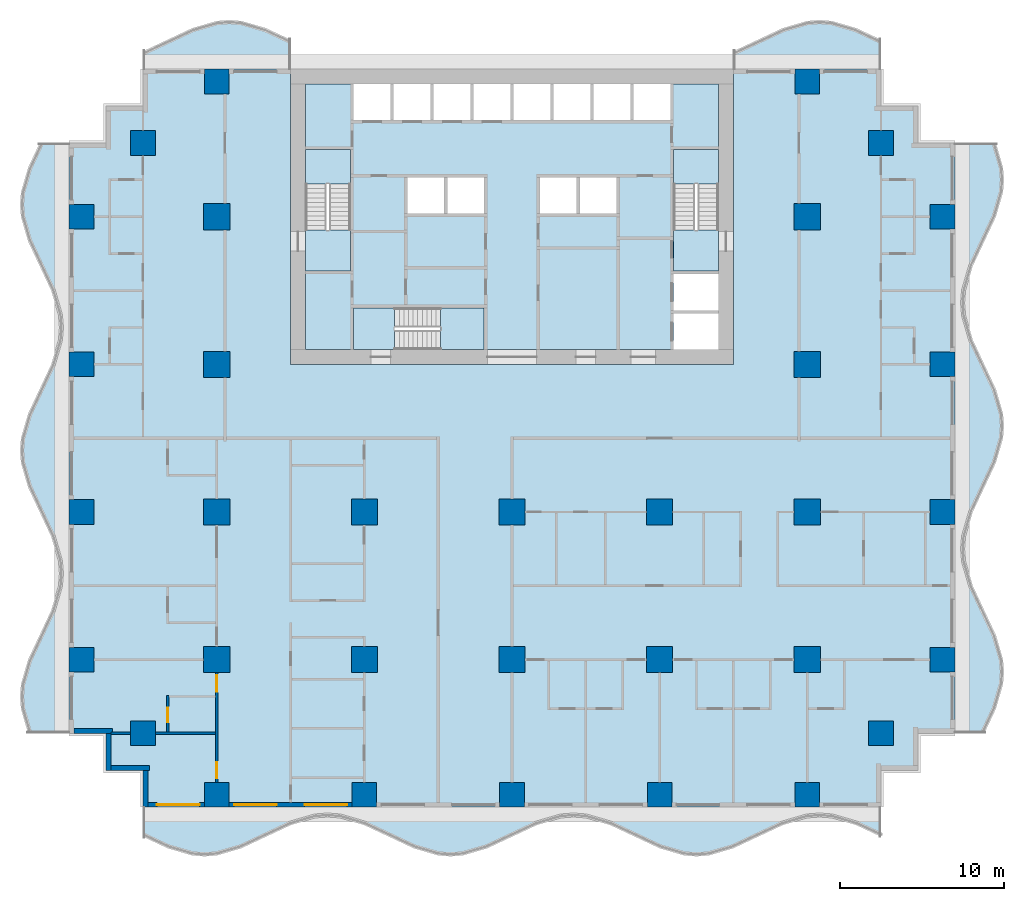
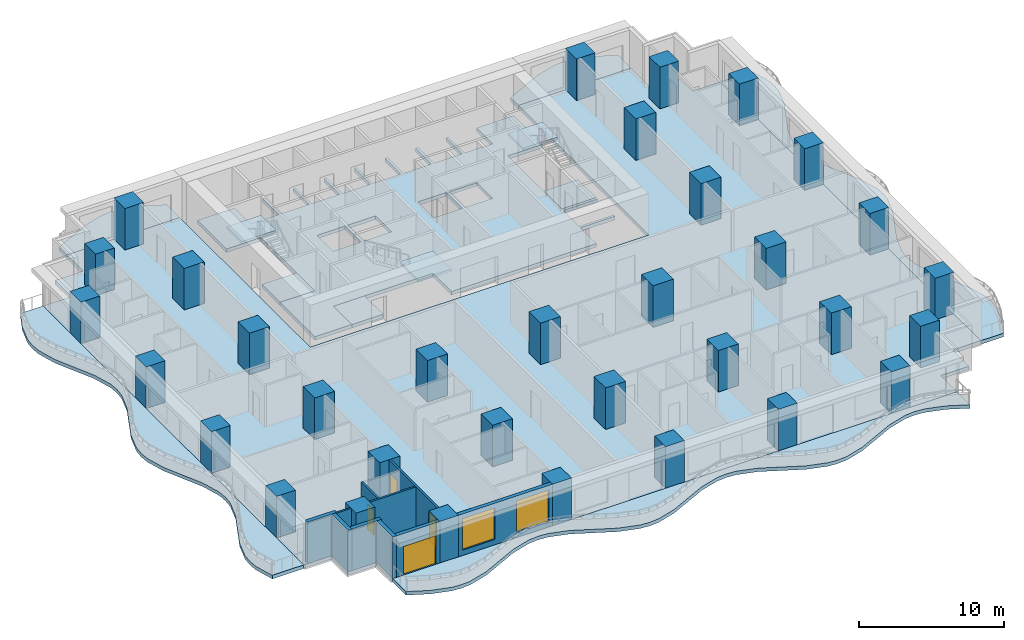
# One storey, part 1 of 14: 33 columns, 13 slabs, 10 walls, 4 doors, 2 windows, 6 openings, 3 elements without a shape of their own.
"""IFC4 building model written with IfcOpenShell, lengths in metres."""

from ifc_helpers import new_model, si_unit, direction, frame, frame_2d, origin, origin_2d, place, context, subcontext, project, spatial, polyline, rectangle, outline, extrude, material, layer, layer_set, material_profile, profile_set, type_object, element, fill, aggregate, save


model = new_model("IFC4")

# Units and contexts
model_context = context("Model", 3, precision=1e-05, world=origin(), true_north=direction((0.0, 1.0)))
body_context = subcontext(model_context, "Body", "Model", "MODEL_VIEW")
ifc_project = project(units=[si_unit("LENGTHUNIT", "METRE"), si_unit("AREAUNIT", "SQUARE_METRE"), si_unit("VOLUMEUNIT", "CUBIC_METRE"), si_unit("PLANEANGLEUNIT", "RADIAN"), si_unit("MASSUNIT", "GRAM", prefix="KILO")], contexts=[model_context])

# Site, building, storey
site_placement = place(None, origin())
site = spatial("IfcSite", under=ifc_project, at=site_placement, CompositionType="ELEMENT")
building_placement = place(site_placement, origin())
building = spatial("IfcBuilding", under=site, at=building_placement, Name="Orbiselva Terraces", CompositionType="ELEMENT")
storey_placement = place(building_placement, frame((0.0, 0.0, 15.0)))
storey = spatial("IfcBuildingStorey", under=building, at=storey_placement, Name="L03", CompositionType="ELEMENT", Elevation=15.0)

# Columns
ifc_material_1 = material(Name="Concrete C80/95", Category="concrete")
ifc_material_profile_1 = material_profile(ifc_material_1, rectangle(XDim=1.6, YDim=1.6, at=origin_2d()), Name="RC 1600x1600")
ifc_profile_set_1 = profile_set([ifc_material_profile_1], Name="Concrete C80/95")
column_type_1 = type_object("IfcColumnType", Name="COLUMN RC 1600x1600", PredefinedType="COLUMN", material=ifc_profile_set_1)
for number, where, z_axis, x_axis, name in (
    (1, (-18.0, -13.5, 0.0), (0.0, 0.0, 1.0), (1.0, 0.0, 0.0), "Column L03-01"),
    (2, (-18.0, -4.5, 0.0), (0.0, 0.0, 1.0), (1.0, 0.0, 0.0), "Column L03-03"),
    (3, (-18.0, 13.5, 0.0), (0.0, 0.0, 1.0), (1.0, 0.0, 0.0), "Column L03-04"),
    (4, (-18.0, 4.5, 0.0), (0.0, 0.0, 1.0), (1.0, 0.0, 0.0), "Column L03-06"),
    (5, (-9.0, -13.5, 0.0), (0.0, 0.0, 1.0), (1.0, 0.0, 0.0), "Column L03-13"),
    (6, (-9.0, -4.5, 0.0), (0.0, 0.0, 1.0), (1.0, 0.0, 0.0), "Column L03-15"),
    (7, (0.0, -13.5, 0.0), (0.0, 0.0, 1.0), (1.0, 0.0, 0.0), "Column L03-16"),
    (8, (0.0, -4.5, 0.0), (0.0, 0.0, 1.0), (1.0, 0.0, 0.0), "Column L03-18"),
    (9, (18.0, -13.5, 0.0), (0.0, 0.0, 1.0), (1.0, 0.0, 0.0), "Column L03-19"),
    (10, (18.0, -4.5, 0.0), (0.0, 0.0, 1.0), (1.0, 0.0, 0.0), "Column L03-21"),
    (11, (18.0, 13.5, 0.0), (0.0, 0.0, 1.0), (1.0, 0.0, 0.0), "Column L03-22"),
    (12, (18.0, 4.5, 0.0), (0.0, 0.0, 1.0), (1.0, 0.0, 0.0), "Column L03-24"),
    (13, (9.0, -13.5, 0.0), (0.0, 0.0, 1.0), (1.0, 0.0, 0.0), "Column L03-31"),
    (14, (9.0, -4.5, 0.0), (0.0, 0.0, 1.0), (1.0, 0.0, 0.0), "Column L03-33"),
):
    element("IfcColumn", number, at=place(storey_placement, frame(where, z_axis=z_axis, x_axis=x_axis)), inside=storey, type_object=column_type_1, Name=name, PredefinedType="COLUMN", context=body_context, shape_type="SweptSolid", body=[
        extrude(rectangle(XDim=1.6, YDim=1.6, at=origin_2d()), origin(), (0.0, 0.0, 1.0), 3.5),
    ])
ifc_material_profile_2 = material_profile(ifc_material_1, rectangle(XDim=1.5, YDim=1.5, at=origin_2d()), Name="RC 1500x1500")
ifc_profile_set_2 = profile_set([ifc_material_profile_2], Name="Concrete C80/95")
column_type_2 = type_object("IfcColumnType", Name="PERIMETER COLUMN RC 1500x1500", PredefinedType="COLUMN", material=ifc_profile_set_2)
for number, where, z_axis, x_axis, name in (
    (15, (-18.0, -21.75, 0.0), (0.0, 0.0, 1.0), (1.0, 0.0, 0.0), "Column L03-02"),
    (16, (-18.0, 21.75, 0.0), (0.0, 0.0, 1.0), (1.0, 0.0, 0.0), "Column L03-05"),
    (17, (-26.25, -13.5, 0.0), (0.0, 0.0, 1.0), (1.0, 0.0, 0.0), "Column L03-07"),
    (18, (-22.5, -18.0, 0.0), (0.0, 0.0, 1.0), (1.0, 0.0, 0.0), "Column L03-08"),
    (19, (-26.25, -4.5, 0.0), (0.0, 0.0, 1.0), (1.0, 0.0, 0.0), "Column L03-09"),
    (20, (-26.25, 13.5, 0.0), (0.0, 0.0, 1.0), (1.0, 0.0, 0.0), "Column L03-10"),
    (21, (-22.5, 18.0, 0.0), (0.0, 0.0, 1.0), (1.0, 0.0, 0.0), "Column L03-11"),
    (22, (-26.25, 4.5, 0.0), (0.0, 0.0, 1.0), (1.0, 0.0, 0.0), "Column L03-12"),
    (23, (-9.0, -21.75, 0.0), (0.0, 0.0, 1.0), (1.0, 0.0, 0.0), "Column L03-14"),
    (24, (0.0, -21.75, 0.0), (0.0, 0.0, 1.0), (1.0, 0.0, 0.0), "Column L03-17"),
    (25, (18.0, -21.75, 0.0), (0.0, 0.0, 1.0), (1.0, 0.0, 0.0), "Column L03-20"),
    (26, (18.0, 21.75, 0.0), (0.0, 0.0, 1.0), (1.0, 0.0, 0.0), "Column L03-23"),
    (27, (26.25, -13.5, 0.0), (0.0, 0.0, 1.0), (1.0, 0.0, 0.0), "Column L03-25"),
    (28, (22.5, -18.0, 0.0), (0.0, 0.0, 1.0), (1.0, 0.0, 0.0), "Column L03-26"),
    (29, (26.25, -4.5, 0.0), (0.0, 0.0, 1.0), (1.0, 0.0, 0.0), "Column L03-27"),
    (30, (26.25, 13.5, 0.0), (0.0, 0.0, 1.0), (1.0, 0.0, 0.0), "Column L03-28"),
    (31, (22.5, 18.0, 0.0), (0.0, 0.0, 1.0), (1.0, 0.0, 0.0), "Column L03-29"),
    (32, (26.25, 4.5, 0.0), (0.0, 0.0, 1.0), (1.0, 0.0, 0.0), "Column L03-30"),
    (33, (9.0, -21.75, 0.0), (0.0, 0.0, 1.0), (1.0, 0.0, 0.0), "Column L03-32"),
):
    element("IfcColumn", number, at=place(storey_placement, frame(where, z_axis=z_axis, x_axis=x_axis)), inside=storey, type_object=column_type_2, Name=name, PredefinedType="COLUMN", context=body_context, shape_type="SweptSolid", body=[
        extrude(rectangle(XDim=1.5, YDim=1.5, at=origin_2d()), origin(), (0.0, 0.0, 1.0), 3.5),
    ])

# Slabs
ifc_material_2 = material(Name="Concrete C40/50", Category="concrete")
ifc_layer_1 = layer(ifc_material_2, 0.3)
ifc_layer_set_1 = layer_set([ifc_layer_1], Name="Concrete C40/50")
slab_type_1 = type_object("IfcSlabType", Name="CORE-SLAB-FLOOR-300", PredefinedType="FLOOR", material=ifc_layer_set_1)
slab_1_placement = place(storey_placement, frame((0.0, 0.0, -0.3)))
element("IfcSlab", 34, at=slab_1_placement, inside=storey, type_object=slab_type_1, Name="L03 S1 floor landing", PredefinedType="FLOOR", context=body_context, shape_type="SweptSolid", body=[
    extrude(outline(polyline([(-12.6, 12.7), (-9.85, 12.7), (-9.85, 10.2), (-12.6, 10.2), (-12.6, 12.7)])), origin(), (0.0, 0.0, 1.0), 0.3),
])
slab_2_placement = place(storey_placement, frame((0.0, 0.0, -0.3)))
element("IfcSlab", 35, at=slab_2_placement, inside=storey, type_object=slab_type_1, Name="L03 S2 floor landing", PredefinedType="FLOOR", context=body_context, shape_type="SweptSolid", body=[
    extrude(outline(polyline([(12.6, 12.7), (12.6, 10.2), (9.85, 10.2), (9.85, 12.7), (12.6, 12.7)])), origin(), (0.0, 0.0, 1.0), 0.3),
])
slab_3_placement = place(storey_placement, frame((0.0, 0.0, -0.3)))
element("IfcSlab", 36, at=slab_3_placement, inside=storey, type_object=slab_type_1, Name="L03 S3 floor landing", PredefinedType="FLOOR", context=body_context, shape_type="SweptSolid", body=[
    extrude(outline(polyline([(-7.15, 5.4), (-9.65, 5.4), (-9.65, 7.95), (-7.15, 7.95), (-7.15, 5.4)])), origin(), (0.0, 0.0, 1.0), 0.3),
])
slab_4_placement = place(storey_placement, frame((0.0, 0.0, -0.3)))
element("IfcSlab", 37, at=slab_4_placement, inside=storey, type_object=slab_type_1, Name="L03 core floor slab 1", PredefinedType="FLOOR", context=body_context, shape_type="SweptSolid", body=[
    extrude(outline(polyline([(-1.7, 5.4), (-1.7, 7.95), (-9.65, 7.95), (-9.65, 5.4), (-12.6, 5.4), (-12.6, 10.2), (-9.85, 10.2), (-9.85, 17.6), (-12.6, 17.6), (-12.6, 21.6), (-9.65, 21.6), (-9.65, 19.4), (-7.4125, 19.4), (-7.4125, 21.6), (-7.2125, 21.6), (-7.2125, 19.4), (-4.975, 19.4), (-4.975, 21.6), (-4.775, 21.6), (-4.775, 19.4), (-2.5375, 19.4), (-2.5375, 21.6), (-2.3375, 21.6), (-2.3375, 19.4), (-0.1, 19.4), (-0.1, 21.6), (0.1, 21.6), (0.1, 19.4), (2.3375, 19.4), (2.3375, 21.6), (2.5375, 21.6), (2.5375, 19.4), (4.775, 19.4), (4.775, 21.6), (4.975, 21.6), (4.975, 19.4), (7.2125, 19.4), (7.2125, 21.6), (7.4125, 21.6), (7.4125, 19.4), (9.65, 19.4), (9.65, 21.6), (12.6, 21.6), (12.6, 17.6), (9.85, 17.6), (9.85, 10.2), (12.6, 10.2), (12.6, 10.0), (9.85, 10.0), (9.85, 7.8), (12.6, 7.8), (12.6, 7.6), (9.85, 7.6), (9.85, 5.4), (-1.7, 5.4)]), holes=[polyline([(-4.1375, 13.7), (-4.1375, 15.9), (-6.375, 15.9), (-6.375, 13.7), (-4.1375, 13.7)]), polyline([(-1.7, 13.7), (-1.7, 15.9), (-3.9375, 15.9), (-3.9375, 13.7), (-1.7, 13.7)]), polyline([(3.9375, 13.7), (3.9375, 15.9), (1.7, 15.9), (1.7, 13.7), (3.9375, 13.7)]), polyline([(6.375, 13.7), (6.375, 15.9), (4.1375, 15.9), (4.1375, 13.7), (6.375, 13.7)])]), origin(), (0.0, 0.0, 1.0), 0.3),
])

# Stair, slab
stair_type_1 = type_object("IfcStairType", Name="CORE-STAIR-1300", PredefinedType="HALF_TURN_STAIR", material=ifc_material_2)
stair_1_placement = place(storey_placement, origin())
stair_1 = element("IfcStair", 38, at=stair_1_placement, inside=storey, type_object=stair_type_1, Name="L03 Exit Stair S1", PredefinedType="HALF_TURN_STAIR")
ifc_layer_2 = layer(ifc_material_2, 0.2)
ifc_layer_set_2 = layer_set([ifc_layer_2], Name="Concrete C40/50")
slab_type_2 = type_object("IfcSlabType", Name="CORE-STAIR-LANDING-200", PredefinedType="LANDING", material=ifc_layer_set_2)
slab_5_placement = place(storey_placement, frame((0.0, 0.0, 1.7)))
slab_5 = element("IfcSlab", 39, at=slab_5_placement, type_object=slab_type_2, Name="S1 landing 1", PredefinedType="LANDING", context=body_context, shape_type="SweptSolid", body=[
    extrude(outline(polyline([(-9.85, 15.5), (-9.85, 17.6), (-12.6, 17.6), (-12.6, 15.5), (-9.85, 15.5)])), origin(), (0.0, 0.0, 1.0), 0.2),
])
aggregate(stair_1, [slab_5])

stair_2_placement = place(storey_placement, origin())
stair_2 = element("IfcStair", 40, at=stair_2_placement, inside=storey, type_object=stair_type_1, Name="L03 Exit Stair S2", PredefinedType="HALF_TURN_STAIR")
slab_6_placement = place(storey_placement, frame((0.0, 0.0, 1.7)))
slab_6 = element("IfcSlab", 41, at=slab_6_placement, type_object=slab_type_2, Name="S2 landing 1", PredefinedType="LANDING", context=body_context, shape_type="SweptSolid", body=[
    extrude(outline(polyline([(12.6, 15.5), (12.6, 17.6), (9.85, 17.6), (9.85, 15.5), (12.6, 15.5)])), origin(), (0.0, 0.0, 1.0), 0.2),
])
aggregate(stair_2, [slab_6])

stair_type_2 = type_object("IfcStairType", Name="CORE-STAIR-1200", PredefinedType="HALF_TURN_STAIR", material=ifc_material_2)
stair_3_placement = place(storey_placement, origin())
stair_3 = element("IfcStair", 42, at=stair_3_placement, inside=storey, type_object=stair_type_2, Name="L03 Exit Stair S3", PredefinedType="HALF_TURN_STAIR")
slab_7_placement = place(storey_placement, frame((0.0, 0.0, 1.7)))
slab_7 = element("IfcSlab", 43, at=slab_7_placement, type_object=slab_type_2, Name="S3 landing 1", PredefinedType="LANDING", context=body_context, shape_type="SweptSolid", body=[
    extrude(outline(polyline([(-4.35, 5.4), (-1.7, 5.4), (-1.7, 7.95), (-4.35, 7.95), (-4.35, 5.4)])), origin(), (0.0, 0.0, 1.0), 0.2),
])
aggregate(stair_3, [slab_7])

# Slabs
ifc_material_3 = material(Name="Concrete C50/60", Category="concrete")
ifc_layer_3 = layer(ifc_material_3, 0.3)
ifc_layer_set_3 = layer_set([ifc_layer_3], Name="Concrete C50/60")
slab_type_3 = type_object("IfcSlabType", Name="ENV-BALCONY-SLAB-300", PredefinedType="FLOOR", material=ifc_layer_set_3)
slab_8_placement = place(storey_placement, frame((0.0, 0.0, -0.3)))
element("IfcSlab", 44, at=slab_8_placement, inside=storey, type_object=slab_type_3, Name="Balcony slab L03 S", PredefinedType="FLOOR", context=body_context, shape_type="SweptSolid", body=[
    extrude(outline(polyline([(-22.5, -24.3), (-21.0, -25.005342), (-19.5, -25.441268), (-18.75, -25.5), (-18.0, -25.441268), (-16.5, -25.005342), (-13.5, -23.594658), (-12.0, -23.158732), (-11.25, -23.1), (-10.5, -23.158732), (-9.0, -23.594658), (-6.0, -25.005342), (-4.5, -25.441268), (-3.75, -25.5), (-3.0, -25.441268), (-1.5, -25.005342), (1.5, -23.594658), (3.0, -23.158732), (3.75, -23.1), (4.5, -23.158732), (6.0, -23.594658), (9.0, -25.005342), (10.5, -25.441268), (11.25, -25.5), (12.0, -25.441268), (13.5, -25.005342), (16.5, -23.594658), (18.0, -23.158732), (18.75, -23.1), (19.5, -23.158732), (21.0, -23.594658), (22.5, -24.3), (22.5, -22.5), (-22.5, -22.5), (-22.5, -24.3)])), origin(), (0.0, 0.0, 1.0), 0.3),
])
slab_9_placement = place(storey_placement, frame((0.0, 0.0, -0.3)))
element("IfcSlab", 45, at=slab_9_placement, inside=storey, type_object=slab_type_3, Name="Balcony slab L03 E", PredefinedType="FLOOR", context=body_context, shape_type="SweptSolid", body=[
    extrude(outline(polyline([(28.8, -18.0), (29.505342, -16.5), (29.941268, -15.0), (30.0, -14.25), (29.941268, -13.5), (29.505342, -12.0), (28.094658, -9.0), (27.658732, -7.5), (27.6, -6.75), (27.658732, -6.0), (28.094658, -4.5), (29.505342, -1.5), (29.941268, 0.0), (30.0, 0.75), (29.941268, 1.5), (29.505342, 3.0), (28.094658, 6.0), (27.658732, 7.5), (27.6, 8.25), (27.658732, 9.0), (28.094658, 10.5), (29.505342, 13.5), (29.941268, 15.0), (30.0, 15.75), (29.941268, 16.5), (29.505342, 18.0), (27.0, 18.0), (27.0, -18.0), (28.8, -18.0)])), origin(), (0.0, 0.0, 1.0), 0.3),
])
slab_10_placement = place(storey_placement, frame((0.0, 0.0, -0.3)))
element("IfcSlab", 46, at=slab_10_placement, inside=storey, type_object=slab_type_3, Name="Balcony slab L03 NE", PredefinedType="FLOOR", context=body_context, shape_type="SweptSolid", body=[
    extrude(outline(polyline([(22.5, 24.3), (21.0, 25.005342), (19.5, 25.441268), (18.75, 25.5), (18.0, 25.441268), (16.5, 25.005342), (13.5, 23.594658), (13.5, 22.5), (22.5, 22.5), (22.5, 24.3)])), origin(), (0.0, 0.0, 1.0), 0.3),
])
slab_11_placement = place(storey_placement, frame((0.0, 0.0, -0.3)))
element("IfcSlab", 47, at=slab_11_placement, inside=storey, type_object=slab_type_3, Name="Balcony slab L03 NW", PredefinedType="FLOOR", context=body_context, shape_type="SweptSolid", body=[
    extrude(outline(polyline([(-13.5, 24.3), (-15.0, 25.005342), (-16.5, 25.441268), (-17.25, 25.5), (-18.0, 25.441268), (-19.5, 25.005342), (-22.5, 23.594658), (-22.5, 22.5), (-13.5, 22.5), (-13.5, 24.3)])), origin(), (0.0, 0.0, 1.0), 0.3),
])
slab_12_placement = place(storey_placement, frame((0.0, 0.0, -0.3)))
element("IfcSlab", 48, at=slab_12_placement, inside=storey, type_object=slab_type_3, Name="Balcony slab L03 W", PredefinedType="FLOOR", context=body_context, shape_type="SweptSolid", body=[
    extrude(outline(polyline([(-28.8, 18.0), (-29.505342, 16.5), (-29.941268, 15.0), (-30.0, 14.25), (-29.941268, 13.5), (-29.505342, 12.0), (-28.094658, 9.0), (-27.658732, 7.5), (-27.6, 6.75), (-27.658732, 6.0), (-28.094658, 4.5), (-29.505342, 1.5), (-29.941268, 0.0), (-30.0, -0.75), (-29.941268, -1.5), (-29.505342, -3.0), (-28.094658, -6.0), (-27.658732, -7.5), (-27.6, -8.25), (-27.658732, -9.0), (-28.094658, -10.5), (-29.505342, -13.5), (-29.941268, -15.0), (-30.0, -15.75), (-29.941268, -16.5), (-29.505342, -18.0), (-27.0, -18.0), (-27.0, 18.0), (-28.8, 18.0)])), origin(), (0.0, 0.0, 1.0), 0.3),
])
ifc_layer_4 = layer(ifc_material_3, 0.3)
ifc_layer_set_4 = layer_set([ifc_layer_4], Name="Concrete C50/60")
slab_type_4 = type_object("IfcSlabType", Name="FLOOR SLAB 300", PredefinedType="FLOOR", material=ifc_layer_set_4)
slab_13_placement = place(storey_placement, frame((0.0, 0.0, -0.3)))
element("IfcSlab", 49, at=slab_13_placement, inside=storey, type_object=slab_type_4, Name="Floor slab L03", PredefinedType="FLOOR", context=body_context, shape_type="SweptSolid", body=[
    extrude(outline(polyline([(22.5, 22.5), (22.5, 20.25), (24.75, 20.25), (24.75, 18.0), (27.0, 18.0), (27.0, -18.0), (24.75, -18.0), (24.75, -20.25), (22.5, -20.25), (22.5, -22.5), (-22.5, -22.5), (-22.5, -20.25), (-24.75, -20.25), (-24.75, -18.0), (-27.0, -18.0), (-27.0, 18.0), (-24.75, 18.0), (-24.75, 20.25), (-22.5, 20.25), (-22.5, 22.5), (-13.5, 22.5), (-13.5, 4.5), (13.5, 4.5), (13.5, 22.5), (22.5, 22.5)])), origin(), (0.0, 0.0, 1.0), 0.3),
])

# Wall, opening, door
ifc_material_4 = material(Name="Terracotta cladding on masonry backing", Category="masonry")
ifc_layer_5 = layer(ifc_material_4, 0.3)
ifc_layer_set_5 = layer_set([ifc_layer_5], Name="Terracotta cladding on masonry backing")
wall_type_1 = type_object("IfcWallType", Name="ENV-WALL-TERRACOTTA-300", PredefinedType="SOLIDWALL", material=ifc_layer_set_5)
wall_1_placement = place(storey_placement, frame((-18.75, -22.35, 0.0), z_axis=(0.0, 0.0, 1.0), x_axis=(-1.0, 0.0, 0.0)))
wall_1 = element("IfcWall", 50, at=wall_1_placement, inside=storey, type_object=wall_type_1, Name="Facade wall L03 S", PredefinedType="SOLIDWALL", context=body_context, shape_type="SweptSolid", body=[
    extrude(rectangle(XDim=3.45, YDim=0.3, at=frame_2d((1.725, 0.0))), origin(), (0.0, 0.0, 1.0), 3.5),
])
opening_1_placement = place(wall_1_placement, frame((0.3, 0.0, 0.0)))
opening_1 = element("IfcOpeningElement", 51, at=opening_1_placement, cuts=wall_1, Name="Opening Z1-A-E01", PredefinedType="OPENING", context=body_context, shape_type="SweptSolid", body=[
    extrude(rectangle(XDim=2.6, YDim=2.4, at=frame_2d((1.3, 1.2))), frame((0.0, 0.16, 0.0), z_axis=(0.0, -1.0, 0.0), x_axis=(1.0, 0.0, 0.0)), (0.0, 0.0, 1.0), 0.32),
])
ifc_material_5 = material(Name="Clear low-e glazing in aluminium frame", Category="aluminium")
door_type_1 = type_object("IfcDoorType", Name="BALCONY DOOR 2600 X 2400", OperationType="DOUBLE_DOOR_SLIDING", PredefinedType="DOOR", material=ifc_material_5)
door_1_placement = place(opening_1_placement, origin())
door_1 = element("IfcDoor", 52, at=door_1_placement, inside=storey, type_object=door_type_1, Name="Z1-A-E01", OperationType="SINGLE_SWING_LEFT", OverallHeight=2.4, OverallWidth=2.6, PredefinedType="DOOR", context=body_context, shape_type="SweptSolid", body=[
    extrude(rectangle(XDim=2.6, YDim=2.4, at=frame_2d((1.3, 1.2))), frame((0.0, 0.025, 0.0), z_axis=(0.0, -1.0, 0.0), x_axis=(1.0, 0.0, 0.0)), (0.0, 0.0, 1.0), 0.05),
])
fill(opening_1, door_1)

# Wall, openings, windows
wall_2_placement = place(storey_placement, frame((-9.75, -22.35, 0.0), z_axis=(0.0, 0.0, 1.0), x_axis=(-1.0, 0.0, 0.0)))
wall_2 = element("IfcWall", 53, at=wall_2_placement, inside=storey, type_object=wall_type_1, Name="Facade wall L03 S", PredefinedType="SOLIDWALL", context=body_context, shape_type="SweptSolid", body=[
    extrude(rectangle(XDim=7.5, YDim=0.3, at=frame_2d((3.75, 0.0))), origin(), (0.0, 0.0, 1.0), 3.5),
])
opening_2_placement = place(wall_2_placement, frame((4.6, 0.0, 0.45)))
opening_2 = element("IfcOpeningElement", 54, at=opening_2_placement, cuts=wall_2, Name="Opening WN1", PredefinedType="OPENING", context=body_context, shape_type="SweptSolid", body=[
    extrude(rectangle(XDim=2.6, YDim=2.65, at=frame_2d((1.3, 1.325))), frame((0.0, 0.16, 0.0), z_axis=(0.0, -1.0, 0.0), x_axis=(1.0, 0.0, 0.0)), (0.0, 0.0, 1.0), 0.32),
])
opening_3_placement = place(wall_2_placement, frame((0.3, 0.0, 0.45)))
opening_3 = element("IfcOpeningElement", 55, at=opening_3_placement, cuts=wall_2, Name="Opening WN1", PredefinedType="OPENING", context=body_context, shape_type="SweptSolid", body=[
    extrude(rectangle(XDim=2.6, YDim=2.65, at=frame_2d((1.3, 1.325))), frame((0.0, 0.16, 0.0), z_axis=(0.0, -1.0, 0.0), x_axis=(1.0, 0.0, 0.0)), (0.0, 0.0, 1.0), 0.32),
])
window_type = type_object("IfcWindowType", Name="WINDOW 2600 X 2650 S450", PartitioningType="TRIPLE_PANEL_VERTICAL", PredefinedType="WINDOW", material=ifc_material_5)
window_1_placement = place(opening_2_placement, origin())
window_1 = element("IfcWindow", 56, at=window_1_placement, inside=storey, type_object=window_type, Name="Window L03 S", OverallHeight=2.65, OverallWidth=2.6, PartitioningType="SINGLE_PANEL", PredefinedType="WINDOW", context=body_context, shape_type="SweptSolid", body=[
    extrude(rectangle(XDim=2.6, YDim=2.65, at=frame_2d((1.3, 1.325))), frame((0.0, 0.03, 0.0), z_axis=(0.0, -1.0, 0.0), x_axis=(1.0, 0.0, 0.0)), (0.0, 0.0, 1.0), 0.06),
])
fill(opening_2, window_1)
window_2_placement = place(opening_3_placement, origin())
window_2 = element("IfcWindow", 57, at=window_2_placement, inside=storey, type_object=window_type, Name="Window L03 S", OverallHeight=2.65, OverallWidth=2.6, PartitioningType="SINGLE_PANEL", PredefinedType="WINDOW", context=body_context, shape_type="SweptSolid", body=[
    extrude(rectangle(XDim=2.6, YDim=2.65, at=frame_2d((1.3, 1.325))), frame((0.0, 0.03, 0.0), z_axis=(0.0, -1.0, 0.0), x_axis=(1.0, 0.0, 0.0)), (0.0, 0.0, 1.0), 0.06),
])
fill(opening_3, window_2)

# Walls
wall_3_placement = place(storey_placement, frame((-24.35, -17.85, 0.0), z_axis=(0.0, 0.0, 1.0), x_axis=(-1.0, 0.0, 0.0)))
element("IfcWall", 58, at=wall_3_placement, inside=storey, type_object=wall_type_1, Name="Facade wall L03 STEP", PredefinedType="SOLIDWALL", context=body_context, shape_type="SweptSolid", body=[
    extrude(rectangle(XDim=2.35, YDim=0.3, at=frame_2d((1.175, 0.0))), origin(), (0.0, 0.0, 1.0), 3.5),
])
wall_4_placement = place(storey_placement, frame((-24.6, -20.25, 0.0), z_axis=(0.0, 0.0, 1.0), x_axis=(0.0, 1.0, 0.0)))
element("IfcWall", 59, at=wall_4_placement, inside=storey, type_object=wall_type_1, Name="Facade wall L03 STEP", PredefinedType="SOLIDWALL", context=body_context, shape_type="SweptSolid", body=[
    extrude(rectangle(XDim=2.25, YDim=0.3, at=frame_2d((1.125, 0.0))), origin(), (0.0, 0.0, 1.0), 3.5),
])
wall_5_placement = place(storey_placement, frame((-22.1, -20.1, 0.0), z_axis=(0.0, 0.0, 1.0), x_axis=(-1.0, 0.0, 0.0)))
element("IfcWall", 60, at=wall_5_placement, inside=storey, type_object=wall_type_1, Name="Facade wall L03 STEP", PredefinedType="SOLIDWALL", context=body_context, shape_type="SweptSolid", body=[
    extrude(rectangle(XDim=2.35, YDim=0.3, at=frame_2d((1.175, 0.0))), origin(), (0.0, 0.0, 1.0), 3.5),
])
wall_6_placement = place(storey_placement, frame((-22.35, -22.5, 0.0), z_axis=(0.0, 0.0, 1.0), x_axis=(0.0, 1.0, 0.0)))
element("IfcWall", 61, at=wall_6_placement, inside=storey, type_object=wall_type_1, Name="Facade wall L03 STEP", PredefinedType="SOLIDWALL", context=body_context, shape_type="SweptSolid", body=[
    extrude(rectangle(XDim=2.25, YDim=0.3, at=frame_2d((1.125, 0.0))), origin(), (0.0, 0.0, 1.0), 3.5),
])
ifc_material_6 = material(Name="Plasterboard on steel stud partition", Category="steel")
ifc_layer_6 = layer(ifc_material_6, 0.15)
ifc_layer_set_6 = layer_set([ifc_layer_6], Name="Plasterboard on steel stud partition")
wall_type_2 = type_object("IfcWallType", Name="UNIT-PARTITION-150", PredefinedType="PARTITIONING", material=ifc_layer_set_6)
wall_7_placement = place(storey_placement, frame((-24.45, -18.0, 0.0), z_axis=(0.0, 0.0, 1.0), x_axis=(1.0, 0.0, 0.0)))
element("IfcWall", 62, at=wall_7_placement, inside=storey, type_object=wall_type_2, Name="PARTITION L03-002", PredefinedType="PARTITIONING", context=body_context, shape_type="SweptSolid", body=[
    extrude(rectangle(XDim=1.2, YDim=0.15, at=frame_2d((0.6, 0.0))), origin(), (0.0, 0.0, 1.0), 3.5),
])
wall_8_placement = place(storey_placement, frame((-21.75, -18.0, 0.0), z_axis=(0.0, 0.0, 1.0), x_axis=(1.0, 0.0, 0.0)))
element("IfcWall", 63, at=wall_8_placement, inside=storey, type_object=wall_type_2, Name="PARTITION L03-003", PredefinedType="PARTITIONING", context=body_context, shape_type="SweptSolid", body=[
    extrude(rectangle(XDim=3.675, YDim=0.15, at=frame_2d((1.8375, 0.0))), origin(), (0.0, 0.0, 1.0), 3.5),
])

# Wall, opening, door
wall_9_placement = place(storey_placement, frame((-21.0, -15.675, 0.0), z_axis=(0.0, 0.0, 1.0), x_axis=(0.0, -1.0, 0.0)))
wall_9 = element("IfcWall", 64, at=wall_9_placement, inside=storey, type_object=wall_type_2, Name="PARTITION L03-051", PredefinedType="PARTITIONING", context=body_context, shape_type="SweptSolid", body=[
    extrude(rectangle(XDim=2.25, YDim=0.15, at=frame_2d((1.125, 0.0))), origin(), (0.0, 0.0, 1.0), 3.5),
])
opening_4_placement = place(wall_9_placement, frame((0.75, 0.0, 0.0)))
opening_4 = element("IfcOpeningElement", 65, at=opening_4_placement, cuts=wall_9, Name="Opening Z1-A-30", PredefinedType="OPENING", context=body_context, shape_type="SweptSolid", body=[
    extrude(rectangle(XDim=0.9, YDim=2.1, at=frame_2d((0.45, 1.05))), frame((0.0, 0.085, 0.0), z_axis=(0.0, -1.0, 0.0), x_axis=(1.0, 0.0, 0.0)), (0.0, 0.0, 1.0), 0.17),
])
ifc_material_7 = material(Name="Painted timber door leaf", Category="wood")
door_type_2 = type_object("IfcDoorType", Name="BATH DOOR 900", OperationType="NOTDEFINED", PredefinedType="DOOR", material=ifc_material_7)
door_2_placement = place(opening_4_placement, origin())
door_2 = element("IfcDoor", 66, at=door_2_placement, inside=storey, type_object=door_type_2, Name="Z1-A-30", OperationType="SINGLE_SWING_RIGHT", OverallHeight=2.1, OverallWidth=0.9, PredefinedType="DOOR", context=body_context, shape_type="SweptSolid", body=[
    extrude(rectangle(XDim=0.9, YDim=2.1, at=frame_2d((0.45, 1.05))), frame((0.0, 0.025, 0.0), z_axis=(0.0, -1.0, 0.0), x_axis=(1.0, 0.0, 0.0)), (0.0, 0.0, 1.0), 0.05),
])
fill(opening_4, door_2)

# Wall, openings, doors
wall_10_placement = place(storey_placement, frame((-18.0, -21.0, 0.0), z_axis=(0.0, 0.0, 1.0), x_axis=(0.0, 1.0, 0.0)))
wall_10 = element("IfcWall", 67, at=wall_10_placement, inside=storey, type_object=wall_type_2, Name="PARTITION L03-054", PredefinedType="PARTITIONING", context=body_context, shape_type="SweptSolid", body=[
    extrude(rectangle(XDim=6.7, YDim=0.15, at=frame_2d((3.35, 0.0))), origin(), (0.0, 0.0, 1.0), 3.5),
])
opening_5_placement = place(wall_10_placement, frame((5.55, 0.0, 0.0)))
opening_5 = element("IfcOpeningElement", 68, at=opening_5_placement, cuts=wall_10, Name="Opening Z1-A-29", PredefinedType="OPENING", context=body_context, shape_type="SweptSolid", body=[
    extrude(rectangle(XDim=1.0, YDim=2.4, at=frame_2d((0.5, 1.2))), frame((0.0, 0.085, 0.0), z_axis=(0.0, -1.0, 0.0), x_axis=(1.0, 0.0, 0.0)), (0.0, 0.0, 1.0), 0.17),
])
opening_6_placement = place(wall_10_placement, frame((0.25, 0.0, 0.0)))
opening_6 = element("IfcOpeningElement", 69, at=opening_6_placement, cuts=wall_10, Name="Opening Z1-A-31", PredefinedType="OPENING", context=body_context, shape_type="SweptSolid", body=[
    extrude(rectangle(XDim=1.0, YDim=2.4, at=frame_2d((0.5, 1.2))), frame((0.0, 0.085, 0.0), z_axis=(0.0, -1.0, 0.0), x_axis=(1.0, 0.0, 0.0)), (0.0, 0.0, 1.0), 0.17),
])
door_type_3 = type_object("IfcDoorType", Name="ROOM DOOR 1000", OperationType="NOTDEFINED", PredefinedType="DOOR", material=ifc_material_7)
door_3_placement = place(opening_5_placement, origin())
door_3 = element("IfcDoor", 70, at=door_3_placement, inside=storey, type_object=door_type_3, Name="Z1-A-29", OperationType="SINGLE_SWING_RIGHT", OverallHeight=2.4, OverallWidth=1.0, PredefinedType="DOOR", context=body_context, shape_type="SweptSolid", body=[
    extrude(rectangle(XDim=1.0, YDim=2.4, at=frame_2d((0.5, 1.2))), frame((0.0, 0.025, 0.0), z_axis=(0.0, -1.0, 0.0), x_axis=(1.0, 0.0, 0.0)), (0.0, 0.0, 1.0), 0.05),
])
fill(opening_5, door_3)
door_4_placement = place(opening_6_placement, origin())
door_4 = element("IfcDoor", 71, at=door_4_placement, inside=storey, type_object=door_type_3, Name="Z1-A-31", OperationType="SINGLE_SWING_LEFT", OverallHeight=2.4, OverallWidth=1.0, PredefinedType="DOOR", context=body_context, shape_type="SweptSolid", body=[
    extrude(rectangle(XDim=1.0, YDim=2.4, at=frame_2d((0.5, 1.2))), frame((0.0, 0.025, 0.0), z_axis=(0.0, -1.0, 0.0), x_axis=(1.0, 0.0, 0.0)), (0.0, 0.0, 1.0), 0.05),
])
fill(opening_6, door_4)

save(model, "model.ifc")
